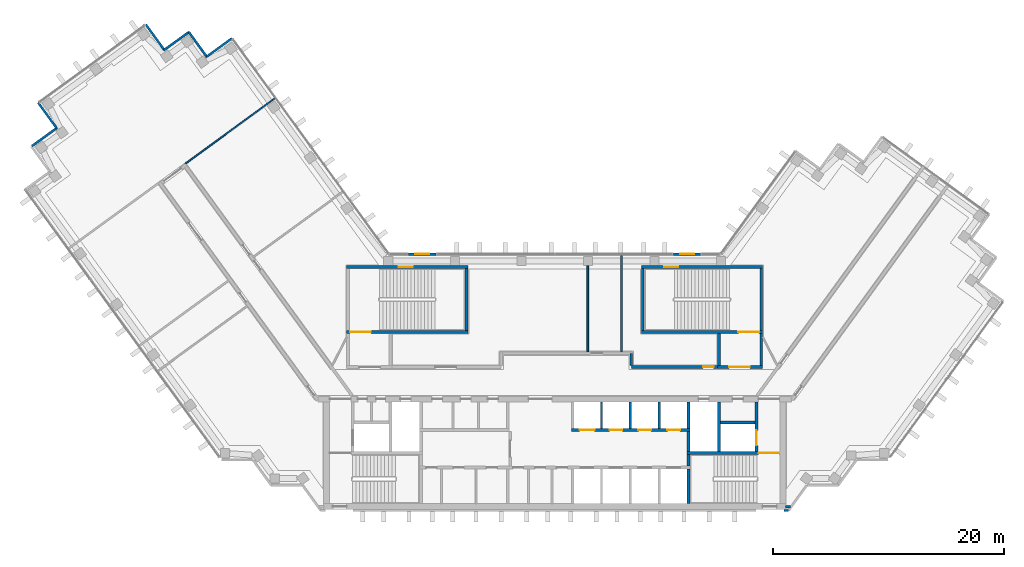
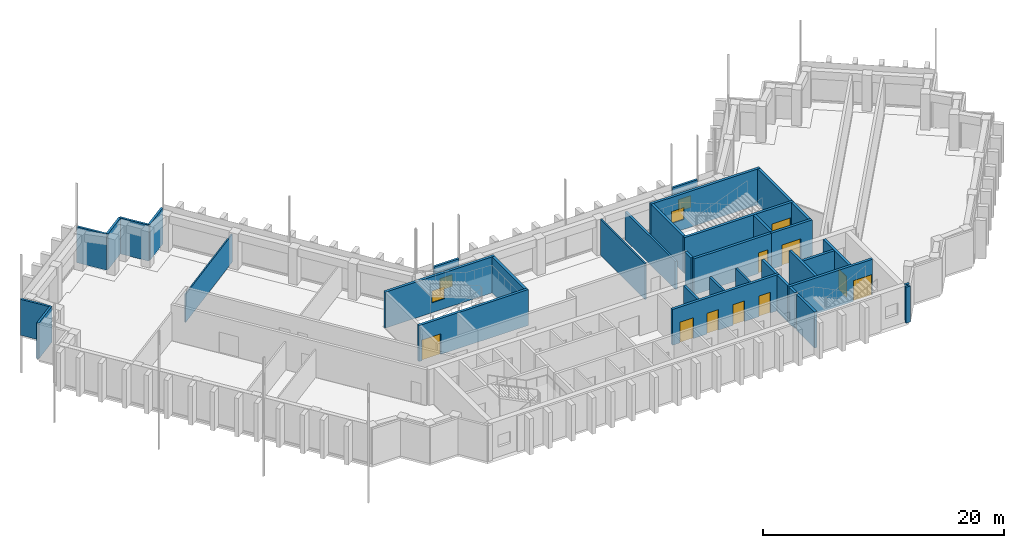
# One storey, part 9 of 12: 37 walls, 10 doors, 4 windows, 14 openings.
"""IFC4 building model written with IfcOpenShell, lengths in metres."""

import ifcopenshell
import ifcopenshell.guid

model = None  # the IFC model being written
_history = None  # IfcOwnerHistory: only IFC2X3 demands one
_inside = {}  # id of a spatial element -> (the spatial element, [elements in it])
_under = {}  # id of a project, library or spatial element -> (it, [spatial elements below it])
_declared = {}  # id of a project -> (the project, [libraries it declares])
_typed = {}  # id of a type object -> (the type object, [elements of that type])
_made_of = {}  # id of a material, layer set ... -> (it, [elements and type objects made of it])


def new_model(schema):
    """Start an empty IFC model of exactly this schema.

    Asked for "IFC4X3", IfcOpenShell would pick the latest addendum, in which some entities
    have other attributes; the version numbers below select the first issue.
    IFC2X3 requires an IfcOwnerHistory on every rooted entity: one is made here for all.
    """
    global model, _history
    if schema == "IFC4X3":
        model = ifcopenshell.file(schema_version=(4, 3, 0, 0))
    else:
        model = ifcopenshell.file(schema=schema)
    _inside.clear()
    _under.clear()
    _declared.clear()
    _typed.clear()
    _made_of.clear()
    _history = None
    if model.schema == "IFC2X3":
        org = make("IfcOrganization", Name="unknown")
        user = make(
            "IfcPersonAndOrganization",
            ThePerson=make("IfcPerson", FamilyName="unknown"),
            TheOrganization=org,
        )
        app = make(
            "IfcApplication",
            ApplicationDeveloper=org,
            Version="unknown",
            ApplicationFullName="unknown",
            ApplicationIdentifier="unknown",
        )
        _history = make(
            "IfcOwnerHistory",
            OwningUser=user,
            OwningApplication=app,
            ChangeAction="ADDED",
            CreationDate=0,
        )
    return model


def make(cls, **values):
    """One entity of the class cls with the attributes given. An attribute that is None is left unset."""
    return model.create_entity(
        cls, **{name: value for name, value in values.items() if value is not None}
    )


def rooted(cls, **values):
    """An entity with a GlobalId (a new one), such as an element, a storey or a relation."""
    return make(cls, GlobalId=ifcopenshell.guid.new(), OwnerHistory=_history, **values)


def si_unit(unit_type, name, prefix=None):
    """IfcSIUnit, for example si_unit("LENGTHUNIT", "METRE", prefix="MILLI")."""
    return make("IfcSIUnit", UnitType=unit_type, Prefix=prefix, Name=name)


def assignment(units):
    """IfcUnitAssignment: the units of a project."""
    return None if units is None else make("IfcUnitAssignment", Units=units)


def point(xyz):
    """IfcCartesianPoint."""
    return None if xyz is None else make("IfcCartesianPoint", Coordinates=xyz)


def direction(xyz):
    """IfcDirection."""
    return None if xyz is None else make("IfcDirection", DirectionRatios=xyz)


def frame(location, z_axis=None, x_axis=None):
    """IfcAxis2Placement3D, a coordinate frame: its origin and axes. An axis left out is left unset."""
    return make(
        "IfcAxis2Placement3D",
        Location=point(location),
        Axis=direction(z_axis),
        RefDirection=direction(x_axis),
    )


def frame_2d(location, x_axis=None):
    """IfcAxis2Placement2D, a coordinate frame in the plane: its origin and x axis."""
    return make(
        "IfcAxis2Placement2D", Location=point(location), RefDirection=direction(x_axis)
    )


def origin():
    """The frame at (0, 0, 0) with its axes left unset."""
    return frame((0.0, 0.0, 0.0))


def place(relative_to, where):
    """IfcLocalPlacement: puts the frame where relative to a parent placement (None: the world)."""
    return make(
        "IfcLocalPlacement", PlacementRelTo=relative_to, RelativePlacement=where
    )


def context(
    kind, dimensions, precision=None, world=None, true_north=None, identifier=None
):
    """IfcGeometricRepresentationContext, for example the 3D "Model" context."""
    return make(
        "IfcGeometricRepresentationContext",
        ContextIdentifier=identifier,
        ContextType=kind,
        CoordinateSpaceDimension=dimensions,
        Precision=precision,
        WorldCoordinateSystem=world,
        TrueNorth=true_north,
    )


def subcontext(parent, identifier, kind, view, scale=None):
    """IfcGeometricRepresentationSubContext, for example "Body" below "Model"."""
    return make(
        "IfcGeometricRepresentationSubContext",
        ContextIdentifier=identifier,
        ContextType=kind,
        ParentContext=parent,
        TargetScale=scale,
        TargetView=view,
    )


def project(units=None, contexts=None):
    """IfcProject with its units and contexts."""
    return rooted(
        "IfcProject",
        Name="project",
        RepresentationContexts=contexts,
        UnitsInContext=assignment(units),
    )


def spatial(cls, under=None, at=None, **own):
    """A site, building, storey or space (cls), placed at a placement, below another one or the project."""
    s = rooted(cls, ObjectPlacement=at, **own)
    if under is not None:
        _under.setdefault(under.id(), (under, []))[1].append(s)
    return s


def profile(cls, at=None, kind="AREA", **sizes):
    """A parametric profile (cls). Its sizes go by their IFC names, for example OverallWidth=200.0."""
    return make(cls, ProfileType=kind, Position=at, **sizes)


def rectangle(**sizes):
    """IfcRectangleProfileDef."""
    return profile("IfcRectangleProfileDef", **sizes)


def extrude(swept, where, along, depth):
    """IfcExtrudedAreaSolid: the profile swept, set in the frame where, extruded along a direction by depth."""
    return make(
        "IfcExtrudedAreaSolid",
        SweptArea=swept,
        Position=where,
        ExtrudedDirection=direction(along),
        Depth=depth,
    )


def shape(context_of_items, identifier, shape_type, items):
    """IfcShapeRepresentation: the items that make up one representation, for example the "Body"."""
    return make(
        "IfcShapeRepresentation",
        ContextOfItems=context_of_items,
        RepresentationIdentifier=identifier,
        RepresentationType=shape_type,
        Items=items,
    )


def material(Name=None, Category=None):
    """IfcMaterial."""
    return make("IfcMaterial", Name=Name, Category=Category)


def layer(
    of_material, thickness, ventilated=None, Name=None, Category=None, Priority=None
):
    """IfcMaterialLayer: one layer of a wall or slab, of a material (None: an air gap)."""
    return make(
        "IfcMaterialLayer",
        Material=of_material,
        LayerThickness=thickness,
        IsVentilated=ventilated,
        Name=Name,
        Category=Category,
        Priority=Priority,
    )


def layer_set(layers, Name=None):
    """IfcMaterialLayerSet."""
    return make("IfcMaterialLayerSet", MaterialLayers=layers, LayerSetName=Name)


def made_of(thing, what):
    """Note that an element or type object is made of a material, layer set ...; save() writes the relation."""
    if what is not None:
        _made_of.setdefault(what.id(), (what, []))[1].append(thing)
    return thing


def type_object(cls, material=None, **own):
    """A type object (cls), such as IfcWallType, which elements share."""
    return made_of(rooted(cls, **own), material)


def element(
    cls,
    number,
    at=None,
    inside=None,
    cuts=None,
    type_object=None,
    material=None,
    context=None,
    identifier="Body",
    shape_type=None,
    held_by="IfcProductDefinitionShape",
    body=None,
    shapes=None,
    **own,
):
    """One element of the class cls, such as IfcWall. Its Tag is "e" and its number.

    at: its placement. inside: the storey or other place that contains it. cuts: it is an
    opening in that element (IfcRelVoidsElement). A single representation is given by context,
    identifier, shape_type and body (its items); several are given by shapes. held_by: the class
    of the entity that holds the representations. save() writes the other relations.
    """
    e = rooted(cls, Tag="e%d" % number, ObjectPlacement=at, **own)
    if body is not None:
        shapes = [shape(context, identifier, shape_type, body)]
    if shapes is not None:
        e.Representation = make(held_by, Representations=shapes)
    if inside is not None:
        _inside.setdefault(inside.id(), (inside, []))[1].append(e)
    if cuts is not None:
        rooted(
            "IfcRelVoidsElement", RelatingBuildingElement=cuts, RelatedOpeningElement=e
        )
    if type_object is not None:
        _typed.setdefault(type_object.id(), (type_object, []))[1].append(e)
    return made_of(e, material)


def fill(opening, filler):
    """IfcRelFillsElement: the door or window that sits in an opening."""
    return rooted(
        "IfcRelFillsElement",
        RelatingOpeningElement=opening,
        RelatedBuildingElement=filler,
    )


def aggregate(whole, parts):
    """IfcRelAggregates: a whole, such as a stair, and the parts it consists of."""
    return rooted("IfcRelAggregates", RelatingObject=whole, RelatedObjects=parts)


def save(model, path):
    """Write the relations noted so far, then the file.

    IfcRelAggregates (storeys below a building ...), IfcRelContainedInSpatialStructure (elements
    in a storey), IfcRelDefinesByType, IfcRelAssociatesMaterial and IfcRelDeclares: one each for
    every whole, place, type object, material and project.
    """
    for whole, parts in _under.values():
        aggregate(whole, parts)
    for where, things in _inside.values():
        rooted(
            "IfcRelContainedInSpatialStructure",
            RelatedElements=things,
            RelatingStructure=where,
        )
    for kind, things in _typed.values():
        rooted("IfcRelDefinesByType", RelatedObjects=things, RelatingType=kind)
    for what, things in _made_of.values():
        rooted("IfcRelAssociatesMaterial", RelatedObjects=things, RelatingMaterial=what)
    for by, libraries in _declared.values():
        rooted("IfcRelDeclares", RelatingContext=by, RelatedDefinitions=libraries)
    model.write(path)


model = new_model("IFC4")

# Units and contexts
model_context = context("Model", 3, precision=1e-05, world=origin(), true_north=direction((0.0, 1.0)))
body_context = subcontext(model_context, "Body", "Model", "MODEL_VIEW")
ifc_project = project(units=[si_unit("LENGTHUNIT", "METRE"), si_unit("AREAUNIT", "SQUARE_METRE"), si_unit("VOLUMEUNIT", "CUBIC_METRE"), si_unit("PLANEANGLEUNIT", "RADIAN"), si_unit("MASSUNIT", "GRAM", prefix="KILO")], contexts=[model_context])

# Site, building, storey
site_placement = place(None, origin())
site = spatial("IfcSite", under=ifc_project, at=site_placement, CompositionType="ELEMENT")
building_placement = place(site_placement, origin())
building = spatial("IfcBuilding", under=site, at=building_placement, Name="Quipu Civic Tower", CompositionType="ELEMENT")
storey_placement = place(building_placement, frame((0.0, 0.0, 222.0)))
storey = spatial("IfcBuildingStorey", under=building, at=storey_placement, Name="L52", CompositionType="ELEMENT", Elevation=222.0)

# Walls
ifc_material_1 = material(Name="Double gypsum plasterboard with mineral wool")
ifc_layer_1 = layer(ifc_material_1, 0.14990234375)
ifc_layer_set_1 = layer_set([ifc_layer_1], Name="Double gypsum plasterboard with mineral wool")
wall_type_1 = type_object("IfcWallType", Name="Acoustic partition 150 plasterboard", PredefinedType="PARTITIONING", material=ifc_layer_set_1)
wall_1_placement = place(storey_placement, frame((2.85888671875, 2.64990234375, 0.0), z_axis=(0.0, 0.0, 1.0), x_axis=(0.0, 1.0, 0.0)))
element("IfcWall", 1, at=wall_1_placement, inside=storey, type_object=wall_type_1, Name="Partition P04", PredefinedType="PARTITIONING", context=body_context, shape_type="SweptSolid", body=[
    extrude(rectangle(XDim=7.445068359375, YDim=0.14990234375, at=frame_2d((3.72265625, 0.0))), origin(), (0.0, 0.0, 1.0), 3.64990234375),
])
ifc_material_2 = material(Name="Fired clay blockwork", Category="masonry")
ifc_layer_2 = layer(ifc_material_2, 0.199951171875)
ifc_layer_set_2 = layer_set([ifc_layer_2], Name="Fired clay blockwork")
wall_type_2 = type_object("IfcWallType", Name="Blockwork wall 200", PredefinedType="SOLIDWALL", material=ifc_layer_set_2)
wall_2_placement = place(storey_placement, frame((5.778076171875, 11.0, 0.0), z_axis=(0.0, 0.0, 1.0), x_axis=(0.0, -1.0, 0.0)))
element("IfcWall", 2, at=wall_2_placement, inside=storey, type_object=wall_type_2, Name="Partition P07", PredefinedType="SOLIDWALL", context=body_context, shape_type="SweptSolid", body=[
    extrude(rectangle(XDim=8.35009765625, YDim=0.199951171875, at=frame_2d((4.175048828125, 0.0))), origin(), (0.0, 0.0, 1.0), 2.85009765625),
])
ifc_material_3 = material(Name="Concrete C70/85", Category="concrete")
ifc_layer_3 = layer(ifc_material_3, 0.25)
ifc_layer_set_3 = layer_set([ifc_layer_3], Name="Concrete C70/85")
wall_type_3 = type_object("IfcWallType", Name="Core wall 250", PredefinedType="SHEAR", material=ifc_layer_set_3)
wall_3_placement = place(storey_placement, frame((11.574951171875, -10.5, 0.0), z_axis=(0.0, 0.0, 1.0), x_axis=(0.0, 1.0, 0.0)))
element("IfcWall", 3, at=wall_3_placement, inside=storey, type_object=wall_type_3, Name="Core wall", PredefinedType="SHEAR", context=body_context, shape_type="SweptSolid", body=[
    extrude(rectangle(XDim=3.0, YDim=0.25, at=frame_2d((1.5, 0.0))), origin(), (0.0, 0.0, 1.0), 3.64990234375),
])
wall_4_placement = place(storey_placement, frame((11.574951171875, -7.25, 0.0), z_axis=(0.0, 0.0, 1.0), x_axis=(0.0, 1.0, 0.0)))
element("IfcWall", 4, at=wall_4_placement, inside=storey, type_object=wall_type_3, Name="Core wall", PredefinedType="SHEAR", context=body_context, shape_type="SweptSolid", body=[
    extrude(rectangle(XDim=1.0, YDim=0.25, at=frame_2d((0.5, 0.0))), origin(), (0.0, 0.0, 1.0), 3.64990234375),
])

# Wall, opening, door
wall_5_placement = place(storey_placement, frame((19.5, -6.125, 0.0), z_axis=(0.0, 0.0, 1.0), x_axis=(-1.0, 0.0, 0.0)))
wall_5 = element("IfcWall", 5, at=wall_5_placement, inside=storey, type_object=wall_type_3, Name="Core wall", PredefinedType="SHEAR", context=body_context, shape_type="SweptSolid", body=[
    extrude(rectangle(XDim=8.050048828125, YDim=0.25, at=frame_2d((4.02490234375, 0.0))), origin(), (0.0, 0.0, 1.0), 3.64990234375),
])
opening_1_placement = place(wall_5_placement, frame((0.050048828125, 0.0, 0.0)))
opening_1 = element("IfcOpeningElement", 6, at=opening_1_placement, cuts=wall_5, Name="Opening CD-08", PredefinedType="OPENING", context=body_context, shape_type="SweptSolid", body=[
    extrude(rectangle(XDim=1.800048828125, YDim=2.10009765625, at=frame_2d((0.89990234375, 1.050048828125))), frame((0.0, 0.135009765625, 0.0), z_axis=(0.0, -1.0, 0.0), x_axis=(1.0, 0.0, 0.0)), (0.0, 0.0, 1.0), 0.27001953125),
])
ifc_material_4 = material(Name="Fire rated steel door", Category="steel")
door_type_1 = type_object("IfcDoorType", Name="Fire door FD90 double 1800 x 2100", OperationType="NOTDEFINED", PredefinedType="DOOR", material=ifc_material_4)
door_1_placement = place(opening_1_placement, origin())
door_1 = element("IfcDoor", 7, at=door_1_placement, inside=storey, type_object=door_type_1, Name="Door", OperationType="DOUBLE_DOOR_SINGLE_SWING", OverallHeight=2.10009765625, OverallWidth=1.800048828125, PredefinedType="DOOR", context=body_context, shape_type="SweptSolid", body=[
    extrude(rectangle(XDim=1.800048828125, YDim=2.10009765625, at=frame_2d((0.89990234375, 1.050048828125))), frame((0.0, 0.02490234375, 0.0), z_axis=(0.0, -1.0, 0.0), x_axis=(1.0, 0.0, 0.0)), (0.0, 0.0, 1.0), 0.050048828125),
])
fill(opening_1, door_1)

# Walls
wall_6_placement = place(storey_placement, frame((11.574951171875, -6.0, 0.0), z_axis=(0.0, 0.0, 1.0), x_axis=(0.0, 1.0, 0.0)))
element("IfcWall", 8, at=wall_6_placement, inside=storey, type_object=wall_type_3, Name="Core wall", PredefinedType="SHEAR", context=body_context, shape_type="SweptSolid", body=[
    extrude(rectangle(XDim=1.75, YDim=0.25, at=frame_2d((0.875, 0.0))), origin(), (0.0, 0.0, 1.0), 3.64990234375),
])
wall_7_placement = place(storey_placement, frame((14.22509765625, -6.0, 0.0), z_axis=(0.0, 0.0, 1.0), x_axis=(0.0, 1.0, 0.0)))
element("IfcWall", 9, at=wall_7_placement, inside=storey, type_object=wall_type_3, Name="Core wall", PredefinedType="SHEAR", context=body_context, shape_type="SweptSolid", body=[
    extrude(rectangle(XDim=4.300048828125, YDim=0.25, at=frame_2d((2.14990234375, 0.0))), origin(), (0.0, 0.0, 1.0), 3.64990234375),
])

# Wall, opening, door
wall_8_placement = place(storey_placement, frame((17.47509765625, -6.0, 0.0), z_axis=(0.0, 0.0, 1.0), x_axis=(0.0, 1.0, 0.0)))
wall_8 = element("IfcWall", 10, at=wall_8_placement, inside=storey, type_object=wall_type_3, Name="Core wall", PredefinedType="SHEAR", context=body_context, shape_type="SweptSolid", body=[
    extrude(rectangle(XDim=4.300048828125, YDim=0.25, at=frame_2d((2.14990234375, 0.0))), origin(), (0.0, 0.0, 1.0), 3.64990234375),
])
opening_2_placement = place(wall_8_placement, frame((0.550048828125, 0.0, 0.0)))
opening_2 = element("IfcOpeningElement", 11, at=opening_2_placement, cuts=wall_8, Name="Opening LD-FF2", PredefinedType="OPENING", context=body_context, shape_type="SweptSolid", body=[
    extrude(rectangle(XDim=1.300048828125, YDim=2.10009765625, at=frame_2d((0.64990234375, 1.050048828125))), frame((0.0, 0.135009765625, 0.0), z_axis=(0.0, -1.0, 0.0), x_axis=(1.0, 0.0, 0.0)), (0.0, 0.0, 1.0), 0.27001953125),
])
ifc_material_5 = material(Name="Stainless steel", Category="steel")
door_type_2 = type_object("IfcDoorType", Name="Lift landing door 1300 x 2100", OperationType="DOUBLE_DOOR_SLIDING", PredefinedType="DOOR", material=ifc_material_5)
door_2_placement = place(opening_2_placement, origin())
door_2 = element("IfcDoor", 12, at=door_2_placement, inside=storey, type_object=door_type_2, Name="Landing door FF2", OperationType="DOUBLE_DOOR_SLIDING", OverallHeight=2.10009765625, OverallWidth=1.300048828125, PredefinedType="DOOR", context=body_context, shape_type="SweptSolid", body=[
    extrude(rectangle(XDim=1.300048828125, YDim=2.10009765625, at=frame_2d((0.64990234375, 1.050048828125))), frame((0.0, 0.02490234375, 0.0), z_axis=(0.0, -1.0, 0.0), x_axis=(1.0, 0.0, 0.0)), (0.0, 0.0, 1.0), 0.050048828125),
])
fill(opening_2, door_2)

# Wall, openings, doors
wall_9_placement = place(storey_placement, frame((1.449951171875, -4.125, 0.0), z_axis=(0.0, 0.0, 1.0), x_axis=(1.0, 0.0, 0.0)))
wall_9 = element("IfcWall", 13, at=wall_9_placement, inside=storey, type_object=wall_type_3, Name="Core wall", PredefinedType="SHEAR", context=body_context, shape_type="SweptSolid", body=[
    extrude(rectangle(XDim=10.25, YDim=0.25, at=frame_2d((5.125, 0.0))), origin(), (0.0, 0.0, 1.0), 3.64990234375),
])
opening_3_placement = place(wall_9_placement, frame((0.699951171875, 0.0, 0.0)))
opening_3 = element("IfcOpeningElement", 14, at=opening_3_placement, cuts=wall_9, Name="Opening LD-FF3", PredefinedType="OPENING", context=body_context, shape_type="SweptSolid", body=[
    extrude(rectangle(XDim=1.300048828125, YDim=2.10009765625, at=frame_2d((0.64990234375, 1.050048828125))), frame((0.0, 0.135009765625, 0.0), z_axis=(0.0, -1.0, 0.0), x_axis=(1.0, 0.0, 0.0)), (0.0, 0.0, 1.0), 0.27001953125),
])
opening_4_placement = place(wall_9_placement, frame((3.300048828125, 0.0, 0.0)))
opening_4 = element("IfcOpeningElement", 15, at=opening_4_placement, cuts=wall_9, Name="Opening LD-ML5", PredefinedType="OPENING", context=body_context, shape_type="SweptSolid", body=[
    extrude(rectangle(XDim=1.10009765625, YDim=2.10009765625, at=frame_2d((0.550048828125, 1.050048828125))), frame((0.0, 0.135009765625, 0.0), z_axis=(0.0, -1.0, 0.0), x_axis=(1.0, 0.0, 0.0)), (0.0, 0.0, 1.0), 0.27001953125),
])
opening_5_placement = place(wall_9_placement, frame((5.800048828125, 0.0, 0.0)))
opening_5 = element("IfcOpeningElement", 16, at=opening_5_placement, cuts=wall_9, Name="Opening LD-ML6", PredefinedType="OPENING", context=body_context, shape_type="SweptSolid", body=[
    extrude(rectangle(XDim=1.10009765625, YDim=2.10009765625, at=frame_2d((0.550048828125, 1.050048828125))), frame((0.0, 0.135009765625, 0.0), z_axis=(0.0, -1.0, 0.0), x_axis=(1.0, 0.0, 0.0)), (0.0, 0.0, 1.0), 0.27001953125),
])
opening_6_placement = place(wall_9_placement, frame((8.300048828125, 0.0, 0.0)))
opening_6 = element("IfcOpeningElement", 17, at=opening_6_placement, cuts=wall_9, Name="Opening LD-ML7", PredefinedType="OPENING", context=body_context, shape_type="SweptSolid", body=[
    extrude(rectangle(XDim=1.10009765625, YDim=2.10009765625, at=frame_2d((0.550048828125, 1.050048828125))), frame((0.0, 0.135009765625, 0.0), z_axis=(0.0, -1.0, 0.0), x_axis=(1.0, 0.0, 0.0)), (0.0, 0.0, 1.0), 0.27001953125),
])
ifc_material_6 = material(Name="Stainless steel", Category="steel")
door_type_3 = type_object("IfcDoorType", Name="Lift landing door 1100 x 2100", OperationType="DOUBLE_DOOR_SLIDING", PredefinedType="DOOR", material=ifc_material_6)
door_3_placement = place(opening_4_placement, origin())
door_3 = element("IfcDoor", 18, at=door_3_placement, inside=storey, type_object=door_type_3, Name="Landing door ML5", OperationType="DOUBLE_DOOR_SLIDING", OverallHeight=2.10009765625, OverallWidth=1.10009765625, PredefinedType="DOOR", context=body_context, shape_type="SweptSolid", body=[
    extrude(rectangle(XDim=1.10009765625, YDim=2.10009765625, at=frame_2d((0.550048828125, 1.050048828125))), frame((0.0, 0.02490234375, 0.0), z_axis=(0.0, -1.0, 0.0), x_axis=(1.0, 0.0, 0.0)), (0.0, 0.0, 1.0), 0.050048828125),
])
fill(opening_4, door_3)
door_4_placement = place(opening_5_placement, origin())
door_4 = element("IfcDoor", 19, at=door_4_placement, inside=storey, type_object=door_type_3, Name="Landing door ML6", OperationType="DOUBLE_DOOR_SLIDING", OverallHeight=2.10009765625, OverallWidth=1.10009765625, PredefinedType="DOOR", context=body_context, shape_type="SweptSolid", body=[
    extrude(rectangle(XDim=1.10009765625, YDim=2.10009765625, at=frame_2d((0.550048828125, 1.050048828125))), frame((0.0, 0.02490234375, 0.0), z_axis=(0.0, -1.0, 0.0), x_axis=(1.0, 0.0, 0.0)), (0.0, 0.0, 1.0), 0.050048828125),
])
fill(opening_5, door_4)
door_5_placement = place(opening_6_placement, origin())
door_5 = element("IfcDoor", 20, at=door_5_placement, inside=storey, type_object=door_type_3, Name="Landing door ML7", OperationType="DOUBLE_DOOR_SLIDING", OverallHeight=2.10009765625, OverallWidth=1.10009765625, PredefinedType="DOOR", context=body_context, shape_type="SweptSolid", body=[
    extrude(rectangle(XDim=1.10009765625, YDim=2.10009765625, at=frame_2d((0.550048828125, 1.050048828125))), frame((0.0, 0.02490234375, 0.0), z_axis=(0.0, -1.0, 0.0), x_axis=(1.0, 0.0, 0.0)), (0.0, 0.0, 1.0), 0.050048828125),
])
fill(opening_6, door_5)
door_6_placement = place(opening_3_placement, origin())
door_6 = element("IfcDoor", 21, at=door_6_placement, inside=storey, type_object=door_type_2, Name="Landing door FF3", OperationType="DOUBLE_DOOR_SLIDING", OverallHeight=2.10009765625, OverallWidth=1.300048828125, PredefinedType="DOOR", context=body_context, shape_type="SweptSolid", body=[
    extrude(rectangle(XDim=1.300048828125, YDim=2.10009765625, at=frame_2d((0.64990234375, 1.050048828125))), frame((0.0, 0.02490234375, 0.0), z_axis=(0.0, -1.0, 0.0), x_axis=(1.0, 0.0, 0.0)), (0.0, 0.0, 1.0), 0.050048828125),
])
fill(opening_3, door_6)

# Walls
wall_10_placement = place(storey_placement, frame((11.574951171875, -4.0, 0.0), z_axis=(0.0, 0.0, 1.0), x_axis=(0.0, 1.0, 0.0)))
element("IfcWall", 22, at=wall_10_placement, inside=storey, type_object=wall_type_3, Name="Core wall", PredefinedType="SHEAR", context=body_context, shape_type="SweptSolid", body=[
    extrude(rectangle(XDim=2.300048828125, YDim=0.25, at=frame_2d((1.14990234375, 0.0))), origin(), (0.0, 0.0, 1.0), 3.64990234375),
])
wall_11_placement = place(storey_placement, frame((14.35009765625, -3.47509765625, 0.0), z_axis=(0.0, 0.0, 1.0), x_axis=(1.0, 0.0, 0.0)))
element("IfcWall", 23, at=wall_11_placement, inside=storey, type_object=wall_type_3, Name="Core wall", PredefinedType="SHEAR", context=body_context, shape_type="SweptSolid", body=[
    extrude(rectangle(XDim=3.0, YDim=0.25, at=frame_2d((1.5, 0.0))), origin(), (0.0, 0.0, 1.0), 3.64990234375),
])

# Wall, opening, door
wall_12_placement = place(storey_placement, frame((-18.0, 4.375, 0.0), z_axis=(0.0, 0.0, 1.0), x_axis=(1.0, 0.0, 0.0)))
wall_12 = element("IfcWall", 24, at=wall_12_placement, inside=storey, type_object=wall_type_3, Name="Core wall", PredefinedType="SHEAR", context=body_context, shape_type="SweptSolid", body=[
    extrude(rectangle(XDim=10.5, YDim=0.25, at=frame_2d((5.25, 0.0))), origin(), (0.0, 0.0, 1.0), 3.64990234375),
])
opening_7_placement = place(wall_12_placement, frame((0.300048828125, 0.0, 0.0)))
opening_7 = element("IfcOpeningElement", 25, at=opening_7_placement, cuts=wall_12, Name="Opening CD-22", PredefinedType="OPENING", context=body_context, shape_type="SweptSolid", body=[
    extrude(rectangle(XDim=1.800048828125, YDim=2.10009765625, at=frame_2d((0.89990234375, 1.050048828125))), frame((0.0, 0.135009765625, 0.0), z_axis=(0.0, -1.0, 0.0), x_axis=(1.0, 0.0, 0.0)), (0.0, 0.0, 1.0), 0.27001953125),
])
door_7_placement = place(opening_7_placement, origin())
door_7 = element("IfcDoor", 26, at=door_7_placement, inside=storey, type_object=door_type_1, Name="Door", OperationType="DOUBLE_DOOR_SINGLE_SWING", OverallHeight=2.10009765625, OverallWidth=1.800048828125, PredefinedType="DOOR", context=body_context, shape_type="SweptSolid", body=[
    extrude(rectangle(XDim=1.800048828125, YDim=2.10009765625, at=frame_2d((0.89990234375, 1.050048828125))), frame((0.0, 0.02490234375, 0.0), z_axis=(0.0, -1.0, 0.0), x_axis=(1.0, 0.0, 0.0)), (0.0, 0.0, 1.0), 0.050048828125),
])
fill(opening_7, door_7)

# Wall
wall_13_placement = place(storey_placement, frame((-7.625, 4.5, 0.0), z_axis=(0.0, 0.0, 1.0), x_axis=(0.0, 1.0, 0.0)))
element("IfcWall", 27, at=wall_13_placement, inside=storey, type_object=wall_type_3, Name="Core wall", PredefinedType="SHEAR", context=body_context, shape_type="SweptSolid", body=[
    extrude(rectangle(XDim=5.35009765625, YDim=0.25, at=frame_2d((2.675048828125, 0.0))), origin(), (0.0, 0.0, 1.0), 3.64990234375),
])

# Wall, opening, window
wall_14_placement = place(storey_placement, frame((-18.0, 9.97509765625, 0.0), z_axis=(0.0, 0.0, 1.0), x_axis=(1.0, 0.0, 0.0)))
wall_14 = element("IfcWall", 28, at=wall_14_placement, inside=storey, type_object=wall_type_3, Name="Core wall", PredefinedType="SHEAR", context=body_context, shape_type="SweptSolid", body=[
    extrude(rectangle(XDim=10.5, YDim=0.25, at=frame_2d((5.25, 0.0))), origin(), (0.0, 0.0, 1.0), 3.64990234375),
])
opening_8_placement = place(wall_14_placement, frame((4.5, 0.0, 1.0)))
opening_8 = element("IfcOpeningElement", 29, at=opening_8_placement, cuts=wall_14, Name="Opening SV-3", PredefinedType="OPENING", context=body_context, shape_type="SweptSolid", body=[
    extrude(rectangle(XDim=1.199951171875, YDim=1.199951171875, at=frame_2d((0.60009765625, 0.60009765625))), frame((0.0, 0.135009765625, 0.0), z_axis=(0.0, -1.0, 0.0), x_axis=(1.0, 0.0, 0.0)), (0.0, 0.0, 1.0), 0.27001953125),
])
ifc_material_7 = material(Name="Aluminium louvre", Category="aluminium")
window_type_1 = type_object("IfcWindowType", Name="Stair ventilation louvre 1200 x 1200", PartitioningType="SINGLE_PANEL", PredefinedType="WINDOW", material=ifc_material_7)
window_1_placement = place(opening_8_placement, origin())
window_1 = element("IfcWindow", 30, at=window_1_placement, inside=storey, type_object=window_type_1, Name="Stair ventilation opening", OverallHeight=1.199951171875, OverallWidth=1.199951171875, PartitioningType="SINGLE_PANEL", PredefinedType="WINDOW", context=body_context, shape_type="SweptSolid", body=[
    extrude(rectangle(XDim=1.199951171875, YDim=1.199951171875, at=frame_2d((0.60009765625, 0.60009765625))), frame((0.0, 0.030029296875, 0.0), z_axis=(0.0, -1.0, 0.0), x_axis=(1.0, 0.0, 0.0)), (0.0, 0.0, 1.0), 0.06005859375),
])
fill(opening_8, window_1)

# Wall, opening, door
wall_15_placement = place(storey_placement, frame((14.10009765625, 1.324951171875, 0.0), z_axis=(0.0, 0.0, 1.0), x_axis=(1.0, 0.0, 0.0)))
wall_15 = element("IfcWall", 31, at=wall_15_placement, inside=storey, type_object=wall_type_3, Name="Core wall", PredefinedType="SHEAR", context=body_context, shape_type="SweptSolid", body=[
    extrude(rectangle(XDim=3.89990234375, YDim=0.25, at=frame_2d((1.949951171875, 0.0))), origin(), (0.0, 0.0, 1.0), 3.64990234375),
])
opening_9_placement = place(wall_15_placement, frame((1.0, 0.0, 0.0)))
opening_9 = element("IfcOpeningElement", 32, at=opening_9_placement, cuts=wall_15, Name="Opening CD-23", PredefinedType="OPENING", context=body_context, shape_type="SweptSolid", body=[
    extrude(rectangle(XDim=1.800048828125, YDim=2.10009765625, at=frame_2d((0.89990234375, 1.050048828125))), frame((0.0, 0.135009765625, 0.0), z_axis=(0.0, -1.0, 0.0), x_axis=(1.0, 0.0, 0.0)), (0.0, 0.0, 1.0), 0.27001953125),
])
door_8_placement = place(opening_9_placement, origin())
door_8 = element("IfcDoor", 33, at=door_8_placement, inside=storey, type_object=door_type_1, Name="Lobby door", OperationType="DOUBLE_DOOR_SINGLE_SWING", OverallHeight=2.10009765625, OverallWidth=1.800048828125, PredefinedType="DOOR", context=body_context, shape_type="SweptSolid", body=[
    extrude(rectangle(XDim=1.800048828125, YDim=2.10009765625, at=frame_2d((0.89990234375, 1.050048828125))), frame((0.0, 0.02490234375, 0.0), z_axis=(0.0, -1.0, 0.0), x_axis=(1.0, 0.0, 0.0)), (0.0, 0.0, 1.0), 0.050048828125),
])
fill(opening_9, door_8)

# Walls
for number, where, z_axis, x_axis, name in (
    (34, (14.22509765625, 1.449951171875, 0.0), (0.0, 0.0, 1.0), (0.0, 1.0, 0.0), "Core wall"),
    (35, (17.875, 1.449951171875, 0.0), (0.0, 0.0, 1.0), (0.0, 1.0, 0.0), "Core wall"),
):
    element("IfcWall", number, at=place(storey_placement, frame(where, z_axis=z_axis, x_axis=x_axis)), inside=storey, type_object=wall_type_3, Name=name, PredefinedType="SHEAR", context=body_context, shape_type="SweptSolid", body=[
        extrude(rectangle(XDim=2.800048828125, YDim=0.25, at=frame_2d((1.39990234375, 0.0))), origin(), (0.0, 0.0, 1.0), 3.64990234375),
    ])

# Wall, opening, door
wall_16_placement = place(storey_placement, frame((7.5, 4.375, 0.0), z_axis=(0.0, 0.0, 1.0), x_axis=(1.0, 0.0, 0.0)))
wall_16 = element("IfcWall", 36, at=wall_16_placement, inside=storey, type_object=wall_type_3, Name="Core wall", PredefinedType="SHEAR", context=body_context, shape_type="SweptSolid", body=[
    extrude(rectangle(XDim=10.5, YDim=0.25, at=frame_2d((5.25, 0.0))), origin(), (0.0, 0.0, 1.0), 3.64990234375),
])
opening_10_placement = place(wall_16_placement, frame((8.39990234375, 0.0, 0.0)))
opening_10 = element("IfcOpeningElement", 37, at=opening_10_placement, cuts=wall_16, Name="Opening CD-24", PredefinedType="OPENING", context=body_context, shape_type="SweptSolid", body=[
    extrude(rectangle(XDim=1.800048828125, YDim=2.10009765625, at=frame_2d((0.89990234375, 1.050048828125))), frame((0.0, 0.135009765625, 0.0), z_axis=(0.0, -1.0, 0.0), x_axis=(1.0, 0.0, 0.0)), (0.0, 0.0, 1.0), 0.27001953125),
])
door_9_placement = place(opening_10_placement, origin())
door_9 = element("IfcDoor", 38, at=door_9_placement, inside=storey, type_object=door_type_1, Name="Door", OperationType="DOUBLE_DOOR_SINGLE_SWING", OverallHeight=2.10009765625, OverallWidth=1.800048828125, PredefinedType="DOOR", context=body_context, shape_type="SweptSolid", body=[
    extrude(rectangle(XDim=1.800048828125, YDim=2.10009765625, at=frame_2d((0.89990234375, 1.050048828125))), frame((0.0, 0.02490234375, 0.0), z_axis=(0.0, -1.0, 0.0), x_axis=(1.0, 0.0, 0.0)), (0.0, 0.0, 1.0), 0.050048828125),
])
fill(opening_10, door_9)

# Walls
for number, where, z_axis, x_axis, name in (
    (39, (7.625, 4.5, 0.0), (0.0, 0.0, 1.0), (0.0, 1.0, 0.0), "Core wall"),
    (40, (17.875, 4.5, 0.0), (0.0, 0.0, 1.0), (0.0, 1.0, 0.0), "Core wall"),
):
    element("IfcWall", number, at=place(storey_placement, frame(where, z_axis=z_axis, x_axis=x_axis)), inside=storey, type_object=wall_type_3, Name=name, PredefinedType="SHEAR", context=body_context, shape_type="SweptSolid", body=[
        extrude(rectangle(XDim=5.35009765625, YDim=0.25, at=frame_2d((2.675048828125, 0.0))), origin(), (0.0, 0.0, 1.0), 3.64990234375),
    ])

# Wall, opening, window
wall_17_placement = place(storey_placement, frame((7.5, 9.97509765625, 0.0), z_axis=(0.0, 0.0, 1.0), x_axis=(1.0, 0.0, 0.0)))
wall_17 = element("IfcWall", 41, at=wall_17_placement, inside=storey, type_object=wall_type_3, Name="Core wall", PredefinedType="SHEAR", context=body_context, shape_type="SweptSolid", body=[
    extrude(rectangle(XDim=10.5, YDim=0.25, at=frame_2d((5.25, 0.0))), origin(), (0.0, 0.0, 1.0), 3.64990234375),
])
opening_11_placement = place(wall_17_placement, frame((2.0, 0.0, 1.0)))
opening_11 = element("IfcOpeningElement", 42, at=opening_11_placement, cuts=wall_17, Name="Opening SV-4", PredefinedType="OPENING", context=body_context, shape_type="SweptSolid", body=[
    extrude(rectangle(XDim=1.199951171875, YDim=1.199951171875, at=frame_2d((0.60009765625, 0.60009765625))), frame((0.0, 0.135009765625, 0.0), z_axis=(0.0, -1.0, 0.0), x_axis=(1.0, 0.0, 0.0)), (0.0, 0.0, 1.0), 0.27001953125),
])
window_2_placement = place(opening_11_placement, origin())
window_2 = element("IfcWindow", 43, at=window_2_placement, inside=storey, type_object=window_type_1, Name="Stair ventilation opening", OverallHeight=1.199951171875, OverallWidth=1.199951171875, PartitioningType="SINGLE_PANEL", PredefinedType="WINDOW", context=body_context, shape_type="SweptSolid", body=[
    extrude(rectangle(XDim=1.199951171875, YDim=1.199951171875, at=frame_2d((0.60009765625, 0.60009765625))), frame((0.0, 0.030029296875, 0.0), z_axis=(0.0, -1.0, 0.0), x_axis=(1.0, 0.0, 0.0)), (0.0, 0.0, 1.0), 0.06005859375),
])
fill(opening_11, window_2)

# Wall, opening, door
ifc_material_8 = material(Name="Concrete C50/60", Category="concrete")
ifc_layer_4 = layer(ifc_material_8, 0.25)
ifc_layer_set_4 = layer_set([ifc_layer_4], Name="Concrete C50/60")
wall_type_4 = type_object("IfcWallType", Name="Corridor wall 250 concrete", PredefinedType="SOLIDWALL", material=ifc_layer_set_4)
wall_18_placement = place(storey_placement, frame((6.65869140625, 1.324951171875, 0.0), z_axis=(0.0, 0.0, 1.0), x_axis=(1.0, 0.0, 0.0)))
wall_18 = element("IfcWall", 44, at=wall_18_placement, inside=storey, type_object=wall_type_4, Name="Corridor wall C01", PredefinedType="SOLIDWALL", context=body_context, shape_type="SweptSolid", body=[
    extrude(rectangle(XDim=7.431396484375, YDim=0.25, at=frame_2d((3.7158203125, 0.0))), origin(), (0.0, 0.0, 1.0), 3.64990234375),
])
opening_12_placement = place(wall_18_placement, frame((6.19140625, 0.0, 0.0)))
opening_12 = element("IfcOpeningElement", 45, at=opening_12_placement, cuts=wall_18, Name="Opening D005", PredefinedType="OPENING", context=body_context, shape_type="SweptSolid", body=[
    extrude(rectangle(XDim=0.89990234375, YDim=2.10009765625, at=frame_2d((0.449951171875, 1.050048828125))), frame((0.0, 0.135009765625, 0.0), z_axis=(0.0, -1.0, 0.0), x_axis=(1.0, 0.0, 0.0)), (0.0, 0.0, 1.0), 0.27001953125),
])
ifc_material_9 = material(Name="Fire rated timber door set with metal frame", Category="wood")
door_type_4 = type_object("IfcDoorType", Name="Single door 900 x 2100 FD60", OperationType="NOTDEFINED", PredefinedType="DOOR", material=ifc_material_9)
door_10_placement = place(opening_12_placement, origin())
door_10 = element("IfcDoor", 46, at=door_10_placement, inside=storey, type_object=door_type_4, Name="Door D005", OperationType="SINGLE_SWING_RIGHT", OverallHeight=2.10009765625, OverallWidth=0.89990234375, PredefinedType="DOOR", context=body_context, shape_type="SweptSolid", body=[
    extrude(rectangle(XDim=0.89990234375, YDim=2.10009765625, at=frame_2d((0.449951171875, 1.050048828125))), frame((0.0, 0.02490234375, 0.0), z_axis=(0.0, -1.0, 0.0), x_axis=(1.0, 0.0, 0.0)), (0.0, 0.0, 1.0), 0.050048828125),
])
fill(opening_12, door_10)

# Walls
wall_19_placement = place(storey_placement, frame((6.625, 2.483642578125, 0.0), z_axis=(0.0, 0.0, 1.0), x_axis=(0.0, -1.0, 0.0)))
element("IfcWall", 47, at=wall_19_placement, inside=storey, type_object=wall_type_4, Name="Corridor wall C10", PredefinedType="SOLIDWALL", context=body_context, shape_type="SweptSolid", body=[
    extrude(rectangle(XDim=1.030029296875, YDim=0.25, at=frame_2d((0.51513671875, 0.0))), origin(), (0.0, 0.0, 1.0), 3.64990234375),
])
ifc_material_10 = material(Name="Gypsum plasterboard on light gauge framing")
ifc_layer_5 = layer(ifc_material_10, 0.1201171875)
ifc_layer_set_5 = layer_set([ifc_layer_5], Name="Gypsum plasterboard on light gauge framing")
wall_type_5 = type_object("IfcWallType", Name="Partition 120 plasterboard", PredefinedType="PARTITIONING", material=ifc_layer_set_5)
wall_20_placement = place(storey_placement, frame((-31.97998046875, 18.922119140625, 0.0), z_axis=(0.0, 0.0, 1.0), x_axis=(0.807588329082, 0.589746632657, 0.0)))
element("IfcWall", 48, at=wall_20_placement, inside=storey, type_object=wall_type_5, Name="Partition P02", PredefinedType="PARTITIONING", context=body_context, shape_type="SweptSolid", body=[
    extrude(rectangle(XDim=9.56982421875, YDim=0.1201171875, at=frame_2d((4.784912109375, 0.0))), origin(), (0.0, 0.0, 1.0), 2.85009765625),
])
ifc_material_11 = material(Name="Precast concrete C40/50", Category="concrete")
wall_type_6 = type_object("IfcWallType", Name="Precast cladding wall", PredefinedType="SOLIDWALL", material=ifc_material_11)
for number, where, z_axis, x_axis, name in (
    (49, (-27.92138671875, 29.787109375, 0.0), (0.0, 0.0, 1.0), (-0.809033161865, -0.587762999008, 0.0), "Precast cladding wall L52 P05"),
    (50, (-30.08349609375, 28.149169921875, 0.0), (0.0, 0.0, 1.0), (-0.587762999008, 0.809033161865, 0.0), "Precast cladding wall L52 P06"),
    (51, (-31.653564453125, 30.330810546875, 0.0), (0.0, 0.0, 1.0), (-0.809033161865, -0.587762999008, 0.0), "Precast cladding wall L52 P07"),
    (52, (-33.80078125, 28.785888671875, 0.0), (0.0, 0.0, 1.0), (-0.587762999008, 0.809033161865, 0.0), "Precast cladding wall L52 P08"),
    (53, (-44.699462890625, 24.20458984375, 0.0), (0.0, 0.0, 1.0), (0.587762999008, -0.809033161865, 0.0), "Precast cladding wall L52 P10"),
    (54, (-43.060791015625, 22.04296875, 0.0), (0.0, 0.0, 1.0), (-0.809033161865, -0.587762999008, 0.0), "Precast cladding wall L52 P11"),
):
    element("IfcWall", number, at=place(storey_placement, frame(where, z_axis=z_axis, x_axis=x_axis)), inside=storey, type_object=wall_type_6, Name=name, PredefinedType="SOLIDWALL", context=body_context, shape_type="SweptSolid", body=[
        extrude(rectangle(XDim=2.699951171875, YDim=0.199951171875, at=frame_2d((1.35009765625, 0.0))), origin(), (0.0, 0.0, 1.0), 3.64990234375),
    ])
wall_21_placement = place(storey_placement, frame((19.85009765625, -11.087890625, 0.0), z_axis=(0.0, 0.0, 1.0), x_axis=(1.0, 0.0, 0.0)))
element("IfcWall", 55, at=wall_21_placement, inside=storey, type_object=wall_type_6, Name="Precast cladding wall L52 P22", PredefinedType="SOLIDWALL", context=body_context, shape_type="SweptSolid", body=[
    extrude(rectangle(XDim=0.40576171875, YDim=0.199951171875, at=frame_2d((0.202880859375, 0.0))), origin(), (0.0, 0.0, 1.0), 3.64990234375),
])

# Wall, opening, window
wall_22_placement = place(storey_placement, frame((12.655029296875, 11.10009765625, 0.0), z_axis=(0.0, 0.0, 1.0), x_axis=(-1.0, 0.0, 0.0)))
wall_22 = element("IfcWall", 56, at=wall_22_placement, inside=storey, type_object=wall_type_6, Name="Vent surround SF-L51-2", PredefinedType="SOLIDWALL", context=body_context, shape_type="SweptSolid", body=[
    extrude(rectangle(XDim=2.3916015625, YDim=0.199951171875, at=frame_2d((1.19580078125, 0.0))), origin(), (0.0, 0.0, 1.0), 3.64990234375),
])
opening_13_placement = place(wall_22_placement, frame((0.595703125, 0.0, 1.0)))
opening_13 = element("IfcOpeningElement", 57, at=opening_13_placement, cuts=wall_22, Name="Opening SF-L51-2", PredefinedType="OPENING", context=body_context, shape_type="SweptSolid", body=[
    extrude(rectangle(XDim=1.199951171875, YDim=1.199951171875, at=frame_2d((0.60009765625, 0.60009765625))), frame((0.0, 0.10986328125, 0.0), z_axis=(0.0, -1.0, 0.0), x_axis=(1.0, 0.0, 0.0)), (0.0, 0.0, 1.0), 0.219970703125),
])
ifc_material_12 = material(Name="Anodised aluminium louvre", Category="aluminium")
window_type_2 = type_object("IfcWindowType", Name="Stair vent louvre window P3", PartitioningType="SINGLE_PANEL", PredefinedType="WINDOW", material=ifc_material_12)
window_3_placement = place(opening_13_placement, origin())
window_3 = element("IfcWindow", 58, at=window_3_placement, inside=storey, type_object=window_type_2, Name="Stair vent louvre SF-L51-2", OverallHeight=1.199951171875, OverallWidth=1.199951171875, PartitioningType="SINGLE_PANEL", PredefinedType="WINDOW", context=body_context, shape_type="SweptSolid", body=[
    extrude(rectangle(XDim=1.199951171875, YDim=1.199951171875, at=frame_2d((0.60009765625, 0.60009765625))), frame((0.0, 0.030029296875, 0.0), z_axis=(0.0, -1.0, 0.0), x_axis=(1.0, 0.0, 0.0)), (0.0, 0.0, 1.0), 0.06005859375),
])
fill(opening_13, window_3)

wall_23_placement = place(storey_placement, frame((-10.263427734375, 11.10009765625, 0.0), z_axis=(0.0, 0.0, 1.0), x_axis=(-1.0, 0.0, 0.0)))
wall_23 = element("IfcWall", 59, at=wall_23_placement, inside=storey, type_object=wall_type_6, Name="Vent surround SF-L51-1", PredefinedType="SOLIDWALL", context=body_context, shape_type="SweptSolid", body=[
    extrude(rectangle(XDim=2.3916015625, YDim=0.199951171875, at=frame_2d((1.19580078125, 0.0))), origin(), (0.0, 0.0, 1.0), 3.64990234375),
])
opening_14_placement = place(wall_23_placement, frame((0.595703125, 0.0, 1.0)))
opening_14 = element("IfcOpeningElement", 60, at=opening_14_placement, cuts=wall_23, Name="Opening SF-L51-1", PredefinedType="OPENING", context=body_context, shape_type="SweptSolid", body=[
    extrude(rectangle(XDim=1.199951171875, YDim=1.199951171875, at=frame_2d((0.60009765625, 0.60009765625))), frame((0.0, 0.10986328125, 0.0), z_axis=(0.0, -1.0, 0.0), x_axis=(1.0, 0.0, 0.0)), (0.0, 0.0, 1.0), 0.219970703125),
])
window_4_placement = place(opening_14_placement, origin())
window_4 = element("IfcWindow", 61, at=window_4_placement, inside=storey, type_object=window_type_2, Name="Stair vent louvre SF-L51-1", OverallHeight=1.199951171875, OverallWidth=1.199951171875, PartitioningType="SINGLE_PANEL", PredefinedType="WINDOW", context=body_context, shape_type="SweptSolid", body=[
    extrude(rectangle(XDim=1.199951171875, YDim=1.199951171875, at=frame_2d((0.60009765625, 0.60009765625))), frame((0.0, 0.030029296875, 0.0), z_axis=(0.0, -1.0, 0.0), x_axis=(1.0, 0.0, 0.0)), (0.0, 0.0, 1.0), 0.06005859375),
])
fill(opening_14, window_4)

# Walls
wall_24_placement = place(storey_placement, frame((19.97998046875, -10.75, 0.0), z_axis=(0.0, 0.0, 1.0), x_axis=(1.0, 0.0, 0.0)))
element("IfcWall", 62, at=wall_24_placement, inside=storey, type_object=wall_type_6, Name="Precast cladding return L52 E", PredefinedType="SOLIDWALL", context=body_context, shape_type="SweptSolid", body=[
    extrude(rectangle(XDim=0.41650390625, YDim=0.199951171875, at=frame_2d((0.208251953125, 0.0))), origin(), (0.0, 0.0, 1.0), 3.64990234375),
])
ifc_material_13 = material(Name="Concrete C40/50", Category="concrete")
ifc_layer_6 = layer(ifc_material_13, 0.199951171875)
ifc_layer_set_6 = layer_set([ifc_layer_6], Name="Concrete C40/50")
wall_type_7 = type_object("IfcWallType", Name="Shaft wall 200", PredefinedType="SOLIDWALL", material=ifc_layer_set_6)
for number, where, z_axis, x_axis, name in (
    (63, (4.050048828125, -4.0, 0.0), (0.0, 0.0, 1.0), (0.0, 1.0, 0.0), "Shaft wall"),
    (64, (6.550048828125, -4.0, 0.0), (0.0, 0.0, 1.0), (0.0, 1.0, 0.0), "Shaft wall"),
    (65, (9.050048828125, -4.0, 0.0), (0.0, 0.0, 1.0), (0.0, 1.0, 0.0), "Shaft wall"),
):
    element("IfcWall", number, at=place(storey_placement, frame(where, z_axis=z_axis, x_axis=x_axis)), inside=storey, type_object=wall_type_7, Name=name, PredefinedType="SOLIDWALL", context=body_context, shape_type="SweptSolid", body=[
        extrude(rectangle(XDim=2.300048828125, YDim=0.199951171875, at=frame_2d((1.14990234375, 0.0))), origin(), (0.0, 0.0, 1.0), 3.64990234375),
    ])

save(model, "model.ifc")
